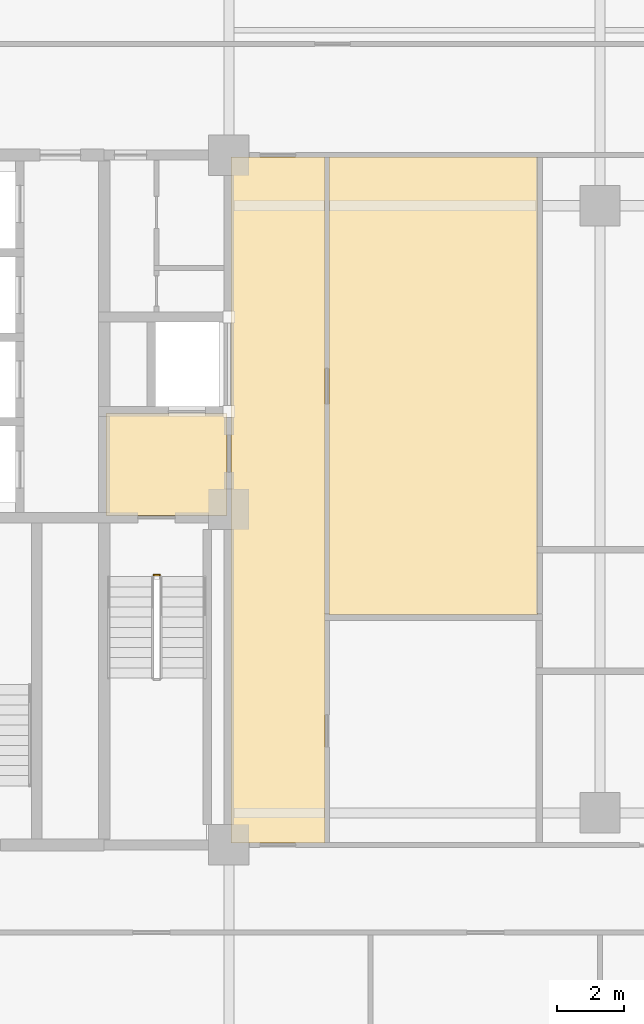
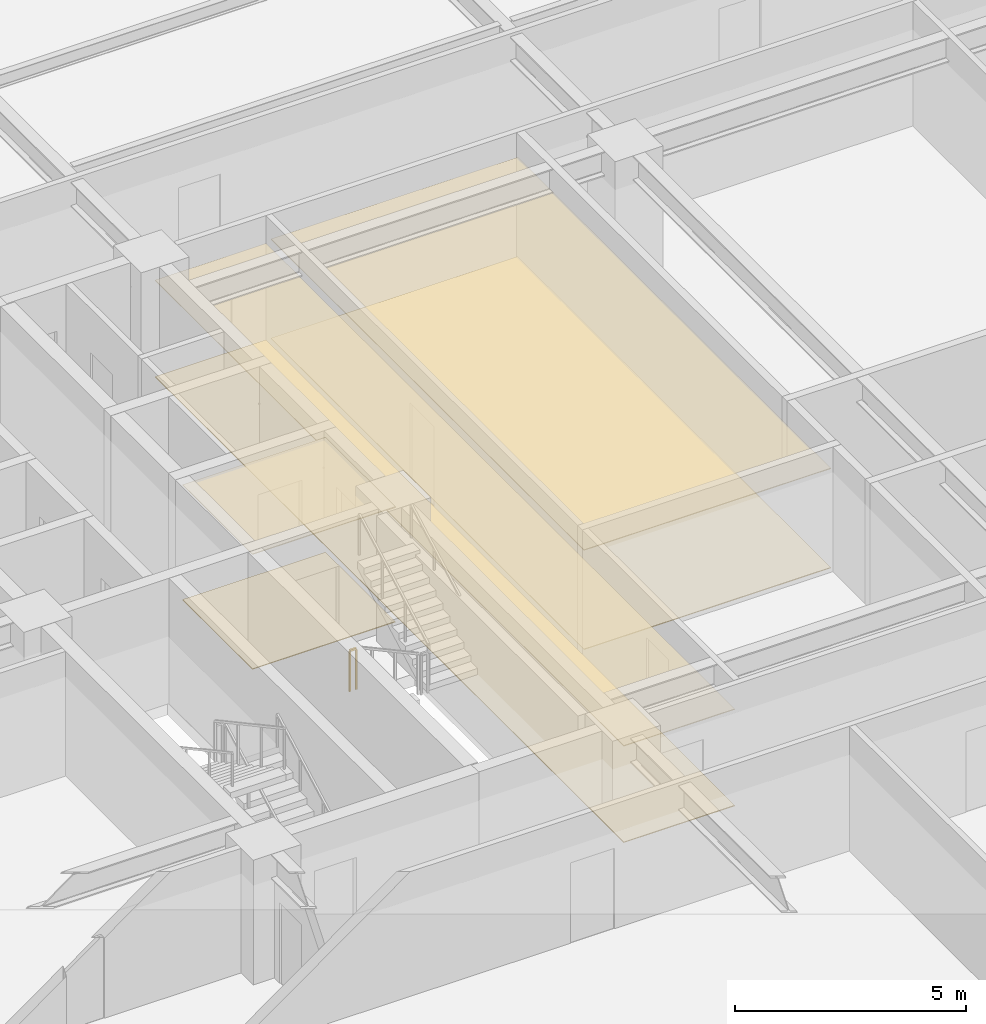
# One storey, part 18 of 20: 6 coverings, 1 railing.
"""IFC4 building model written with IfcOpenShell, lengths in metres."""

import ifcopenshell
import ifcopenshell.guid

model = None  # the IFC model being written
_history = None  # IfcOwnerHistory: only IFC2X3 demands one
_inside = {}  # id of a spatial element -> (the spatial element, [elements in it])
_under = {}  # id of a project, library or spatial element -> (it, [spatial elements below it])
_declared = {}  # id of a project -> (the project, [libraries it declares])
_typed = {}  # id of a type object -> (the type object, [elements of that type])
_made_of = {}  # id of a material, layer set ... -> (it, [elements and type objects made of it])


def new_model(schema):
    """Start an empty IFC model of exactly this schema.

    Asked for "IFC4X3", IfcOpenShell would pick the latest addendum, in which some entities
    have other attributes; the version numbers below select the first issue.
    IFC2X3 requires an IfcOwnerHistory on every rooted entity: one is made here for all.
    """
    global model, _history
    if schema == "IFC4X3":
        model = ifcopenshell.file(schema_version=(4, 3, 0, 0))
    else:
        model = ifcopenshell.file(schema=schema)
    _inside.clear()
    _under.clear()
    _declared.clear()
    _typed.clear()
    _made_of.clear()
    _history = None
    if model.schema == "IFC2X3":
        org = make("IfcOrganization", Name="unknown")
        user = make(
            "IfcPersonAndOrganization",
            ThePerson=make("IfcPerson", FamilyName="unknown"),
            TheOrganization=org,
        )
        app = make(
            "IfcApplication",
            ApplicationDeveloper=org,
            Version="unknown",
            ApplicationFullName="unknown",
            ApplicationIdentifier="unknown",
        )
        _history = make(
            "IfcOwnerHistory",
            OwningUser=user,
            OwningApplication=app,
            ChangeAction="ADDED",
            CreationDate=0,
        )
    return model


def make(cls, **values):
    """One entity of the class cls with the attributes given. An attribute that is None is left unset."""
    return model.create_entity(
        cls, **{name: value for name, value in values.items() if value is not None}
    )


def rooted(cls, **values):
    """An entity with a GlobalId (a new one), such as an element, a storey or a relation."""
    return make(cls, GlobalId=ifcopenshell.guid.new(), OwnerHistory=_history, **values)


def si_unit(unit_type, name, prefix=None):
    """IfcSIUnit, for example si_unit("LENGTHUNIT", "METRE", prefix="MILLI")."""
    return make("IfcSIUnit", UnitType=unit_type, Prefix=prefix, Name=name)


def assignment(units):
    """IfcUnitAssignment: the units of a project."""
    return None if units is None else make("IfcUnitAssignment", Units=units)


def point(xyz):
    """IfcCartesianPoint."""
    return None if xyz is None else make("IfcCartesianPoint", Coordinates=xyz)


def direction(xyz):
    """IfcDirection."""
    return None if xyz is None else make("IfcDirection", DirectionRatios=xyz)


def frame(location, z_axis=None, x_axis=None):
    """IfcAxis2Placement3D, a coordinate frame: its origin and axes. An axis left out is left unset."""
    return make(
        "IfcAxis2Placement3D",
        Location=point(location),
        Axis=direction(z_axis),
        RefDirection=direction(x_axis),
    )


def frame_2d(location, x_axis=None):
    """IfcAxis2Placement2D, a coordinate frame in the plane: its origin and x axis."""
    return make(
        "IfcAxis2Placement2D", Location=point(location), RefDirection=direction(x_axis)
    )


def origin():
    """The frame at (0, 0, 0) with its axes left unset."""
    return frame((0.0, 0.0, 0.0))


def origin_2d():
    """The frame at (0, 0) in the plane with its x axis left unset."""
    return frame_2d((0.0, 0.0))


def place(relative_to, where):
    """IfcLocalPlacement: puts the frame where relative to a parent placement (None: the world)."""
    return make(
        "IfcLocalPlacement", PlacementRelTo=relative_to, RelativePlacement=where
    )


def context(
    kind, dimensions, precision=None, world=None, true_north=None, identifier=None
):
    """IfcGeometricRepresentationContext, for example the 3D "Model" context."""
    return make(
        "IfcGeometricRepresentationContext",
        ContextIdentifier=identifier,
        ContextType=kind,
        CoordinateSpaceDimension=dimensions,
        Precision=precision,
        WorldCoordinateSystem=world,
        TrueNorth=true_north,
    )


def subcontext(parent, identifier, kind, view, scale=None):
    """IfcGeometricRepresentationSubContext, for example "Body" below "Model"."""
    return make(
        "IfcGeometricRepresentationSubContext",
        ContextIdentifier=identifier,
        ContextType=kind,
        ParentContext=parent,
        TargetScale=scale,
        TargetView=view,
    )


def project(units=None, contexts=None):
    """IfcProject with its units and contexts."""
    return rooted(
        "IfcProject",
        Name="project",
        RepresentationContexts=contexts,
        UnitsInContext=assignment(units),
    )


def spatial(cls, under=None, at=None, **own):
    """A site, building, storey or space (cls), placed at a placement, below another one or the project."""
    s = rooted(cls, ObjectPlacement=at, **own)
    if under is not None:
        _under.setdefault(under.id(), (under, []))[1].append(s)
    return s


def polyline(points):
    """IfcPolyline through the points."""
    return make("IfcPolyline", Points=[point(p) for p in points])


def profile(cls, at=None, kind="AREA", **sizes):
    """A parametric profile (cls). Its sizes go by their IFC names, for example OverallWidth=200.0."""
    return make(cls, ProfileType=kind, Position=at, **sizes)


def rectangle(**sizes):
    """IfcRectangleProfileDef."""
    return profile("IfcRectangleProfileDef", **sizes)


def outline(outer, holes=None, kind="AREA"):
    """IfcArbitraryClosedProfileDef: a profile drawn as a closed curve; with holes, ...WithVoids."""
    if holes is None:
        return make("IfcArbitraryClosedProfileDef", ProfileType=kind, OuterCurve=outer)
    return make(
        "IfcArbitraryProfileDefWithVoids",
        ProfileType=kind,
        OuterCurve=outer,
        InnerCurves=holes,
    )


def extrude(swept, where, along, depth):
    """IfcExtrudedAreaSolid: the profile swept, set in the frame where, extruded along a direction by depth."""
    return make(
        "IfcExtrudedAreaSolid",
        SweptArea=swept,
        Position=where,
        ExtrudedDirection=direction(along),
        Depth=depth,
    )


def shape(context_of_items, identifier, shape_type, items):
    """IfcShapeRepresentation: the items that make up one representation, for example the "Body"."""
    return make(
        "IfcShapeRepresentation",
        ContextOfItems=context_of_items,
        RepresentationIdentifier=identifier,
        RepresentationType=shape_type,
        Items=items,
    )


def material(Name=None, Category=None):
    """IfcMaterial."""
    return make("IfcMaterial", Name=Name, Category=Category)


def layer(
    of_material, thickness, ventilated=None, Name=None, Category=None, Priority=None
):
    """IfcMaterialLayer: one layer of a wall or slab, of a material (None: an air gap)."""
    return make(
        "IfcMaterialLayer",
        Material=of_material,
        LayerThickness=thickness,
        IsVentilated=ventilated,
        Name=Name,
        Category=Category,
        Priority=Priority,
    )


def layer_set(layers, Name=None):
    """IfcMaterialLayerSet."""
    return make("IfcMaterialLayerSet", MaterialLayers=layers, LayerSetName=Name)


def made_of(thing, what):
    """Note that an element or type object is made of a material, layer set ...; save() writes the relation."""
    if what is not None:
        _made_of.setdefault(what.id(), (what, []))[1].append(thing)
    return thing


def type_object(cls, material=None, **own):
    """A type object (cls), such as IfcWallType, which elements share."""
    return made_of(rooted(cls, **own), material)


def element(
    cls,
    number,
    at=None,
    inside=None,
    cuts=None,
    type_object=None,
    material=None,
    context=None,
    identifier="Body",
    shape_type=None,
    held_by="IfcProductDefinitionShape",
    body=None,
    shapes=None,
    **own,
):
    """One element of the class cls, such as IfcWall. Its Tag is "e" and its number.

    at: its placement. inside: the storey or other place that contains it. cuts: it is an
    opening in that element (IfcRelVoidsElement). A single representation is given by context,
    identifier, shape_type and body (its items); several are given by shapes. held_by: the class
    of the entity that holds the representations. save() writes the other relations.
    """
    e = rooted(cls, Tag="e%d" % number, ObjectPlacement=at, **own)
    if body is not None:
        shapes = [shape(context, identifier, shape_type, body)]
    if shapes is not None:
        e.Representation = make(held_by, Representations=shapes)
    if inside is not None:
        _inside.setdefault(inside.id(), (inside, []))[1].append(e)
    if cuts is not None:
        rooted(
            "IfcRelVoidsElement", RelatingBuildingElement=cuts, RelatedOpeningElement=e
        )
    if type_object is not None:
        _typed.setdefault(type_object.id(), (type_object, []))[1].append(e)
    return made_of(e, material)


def aggregate(whole, parts):
    """IfcRelAggregates: a whole, such as a stair, and the parts it consists of."""
    return rooted("IfcRelAggregates", RelatingObject=whole, RelatedObjects=parts)


def save(model, path):
    """Write the relations noted so far, then the file.

    IfcRelAggregates (storeys below a building ...), IfcRelContainedInSpatialStructure (elements
    in a storey), IfcRelDefinesByType, IfcRelAssociatesMaterial and IfcRelDeclares: one each for
    every whole, place, type object, material and project.
    """
    for whole, parts in _under.values():
        aggregate(whole, parts)
    for where, things in _inside.values():
        rooted(
            "IfcRelContainedInSpatialStructure",
            RelatedElements=things,
            RelatingStructure=where,
        )
    for kind, things in _typed.values():
        rooted("IfcRelDefinesByType", RelatedObjects=things, RelatingType=kind)
    for what, things in _made_of.values():
        rooted("IfcRelAssociatesMaterial", RelatedObjects=things, RelatingMaterial=what)
    for by, libraries in _declared.values():
        rooted("IfcRelDeclares", RelatingContext=by, RelatedDefinitions=libraries)
    model.write(path)


model = new_model("IFC4")

# Units and contexts
model_context = context("Model", 3, precision=1e-05, world=origin(), true_north=direction((0.0, 1.0)))
body_context = subcontext(model_context, "Body", "Model", "MODEL_VIEW")
ifc_project = project(units=[si_unit("LENGTHUNIT", "METRE"), si_unit("AREAUNIT", "SQUARE_METRE"), si_unit("VOLUMEUNIT", "CUBIC_METRE"), si_unit("PLANEANGLEUNIT", "RADIAN"), si_unit("MASSUNIT", "GRAM", prefix="KILO")], contexts=[model_context])

# Site, building, storey
site_placement = place(None, origin())
site = spatial("IfcSite", under=ifc_project, at=site_placement, CompositionType="ELEMENT")
building_placement = place(site_placement, origin())
building = spatial("IfcBuilding", under=site, at=building_placement, Name="Zulmaris Gate Convention Tower", CompositionType="ELEMENT")
storey_placement = place(building_placement, frame((0.0, 0.0, 71.469970703125)))
storey = spatial("IfcBuildingStorey", under=building, at=storey_placement, Name="L17", CompositionType="ELEMENT", Elevation=71.469970703125)

# Coverings
ifc_material_1 = material(Name="Mineral Fibre Acoustic Ceiling Tile")
ifc_layer_1 = layer(ifc_material_1, 0.02001953125, Name="Mineral Fibre Acoustic Ceiling Tile")
ifc_layer_set_1 = layer_set([ifc_layer_1], Name="Mineral Fibre Acoustic Ceiling Tile")
covering_type_1 = type_object("IfcCoveringType", Name="CLG-ACOUSTIC-600", PredefinedType="CEILING", material=ifc_layer_set_1)
covering_1_placement = place(storey_placement, frame((0.0, 0.0, 3.0400390625)))
element("IfcCovering", 1, at=covering_1_placement, inside=storey, type_object=covering_type_1, Name="CLG-L17-R03", PredefinedType="CEILING", context=body_context, shape_type="SweptSolid", body=[
    extrude(outline(polyline([(-14.639892578125, -0.18994140625), (-11.06005859375, -0.18994140625), (-11.06005859375, 2.840087890625), (-14.639892578125, 2.840087890625), (-14.639892578125, -0.18994140625)])), origin(), (0.0, 0.0, 1.0), 0.02001953125),
])
covering_2_placement = place(storey_placement, frame((0.0, 0.0, 2.552978515625)))
element("IfcCovering", 2, at=covering_2_placement, inside=storey, type_object=covering_type_1, Name="CLG-L17-R35", PredefinedType="CEILING", context=body_context, shape_type="SweptSolid", body=[
    extrude(outline(polyline([(-10.93994140625, -9.889892578125), (-8.159912109375, -9.889892578125), (-8.159912109375, 10.43994140625), (-10.93994140625, 10.43994140625), (-10.93994140625, -9.889892578125)])), origin(), (0.0, 0.0, 1.0), 0.02001953125),
])
covering_3_placement = place(storey_placement, frame((0.0, 0.0, 2.6279296875)))
element("IfcCovering", 3, at=covering_3_placement, inside=storey, type_object=covering_type_1, Name="CLG-L17-R43", PredefinedType="CEILING", context=body_context, shape_type="SweptSolid", body=[
    extrude(outline(polyline([(-8.0400390625, -3.139892578125), (-1.860107421875, -3.139892578125), (-1.860107421875, 10.43994140625), (-8.0400390625, 10.43994140625), (-8.0400390625, -3.139892578125)])), origin(), (0.0, 0.0, 1.0), 0.02001953125),
])
ifc_material_2 = material(Name="Woven Acoustic Wool Carpet Tile")
ifc_layer_2 = layer(ifc_material_2, 0.02001953125, Name="Woven Acoustic Wool Carpet Tile")
ifc_layer_set_2 = layer_set([ifc_layer_2], Name="Woven Acoustic Wool Carpet Tile")
covering_type_2 = type_object("IfcCoveringType", Name="FLR-CARPET-12", PredefinedType="FLOORING", material=ifc_layer_set_2)
covering_4_placement = place(storey_placement, origin())
element("IfcCovering", 4, at=covering_4_placement, inside=storey, type_object=covering_type_2, Name="FLR-L17-R03", PredefinedType="FLOORING", context=body_context, shape_type="SweptSolid", body=[
    extrude(outline(polyline([(-14.639892578125, -0.18994140625), (-11.06005859375, -0.18994140625), (-11.06005859375, 2.840087890625), (-14.639892578125, 2.840087890625), (-14.639892578125, -0.18994140625)])), origin(), (0.0, 0.0, 1.0), 0.02001953125),
])
covering_5_placement = place(storey_placement, origin())
element("IfcCovering", 5, at=covering_5_placement, inside=storey, type_object=covering_type_2, Name="FLR-L17-R35", PredefinedType="FLOORING", context=body_context, shape_type="SweptSolid", body=[
    extrude(outline(polyline([(-10.93994140625, -9.889892578125), (-8.159912109375, -9.889892578125), (-8.159912109375, 10.43994140625), (-10.93994140625, 10.43994140625), (-10.93994140625, -9.889892578125)])), origin(), (0.0, 0.0, 1.0), 0.02001953125),
])
ifc_material_3 = material(Name="Engineered Teak Parquet Flooring")
ifc_layer_3 = layer(ifc_material_3, 0.02001953125, Name="Engineered Teak Parquet Flooring")
ifc_layer_set_3 = layer_set([ifc_layer_3], Name="Engineered Teak Parquet Flooring")
covering_type_3 = type_object("IfcCoveringType", Name="FLR-TIMBER-18", PredefinedType="FLOORING", material=ifc_layer_set_3)
covering_6_placement = place(storey_placement, origin())
element("IfcCovering", 6, at=covering_6_placement, inside=storey, type_object=covering_type_3, Name="FLR-L17-R43", PredefinedType="FLOORING", context=body_context, shape_type="SweptSolid", body=[
    extrude(outline(polyline([(-8.0400390625, -3.139892578125), (-1.860107421875, -3.139892578125), (-1.860107421875, 10.43994140625), (-8.0400390625, 10.43994140625), (-8.0400390625, -3.139892578125)])), origin(), (0.0, 0.0, 1.0), 0.02001953125),
])

# Railing
ifc_material_4 = material(Name="Painted Galvanised Steel", Category="steel")
railing_type = type_object("IfcRailingType", Name="RL-STG-1150", PredefinedType="GUARDRAIL", material=ifc_material_4)
railing_placement = place(storey_placement, frame((-13.219970703125, -1.949951171875, 0.0)))
element("IfcRailing", 7, at=railing_placement, inside=storey, type_object=railing_type, Name="L17 ST-1 stair guard 4", PredefinedType="GUARDRAIL", context=body_context, shape_type="SweptSolid", body=[
    extrude(rectangle(XDim=0.048095703125, YDim=0.048095703125, at=origin_2d()), frame((0.0, 0.0, 1.076171875), z_axis=(1.0, 0.0, 0.0), x_axis=(0.0, 1.0, 0.0)), (0.0, 0.0, 1.0), 0.159912109375),
    extrude(rectangle(XDim=0.0419921875, YDim=0.0419921875, at=origin_2d()), origin(), (0.0, 0.0, 1.0), 1.052001953125),
    extrude(rectangle(XDim=0.0419921875, YDim=0.0419921875, at=origin_2d()), frame((0.159912109375, 0.0, 0.0)), (0.0, 0.0, 1.0), 1.052001953125),
])

save(model, "model.ifc")
